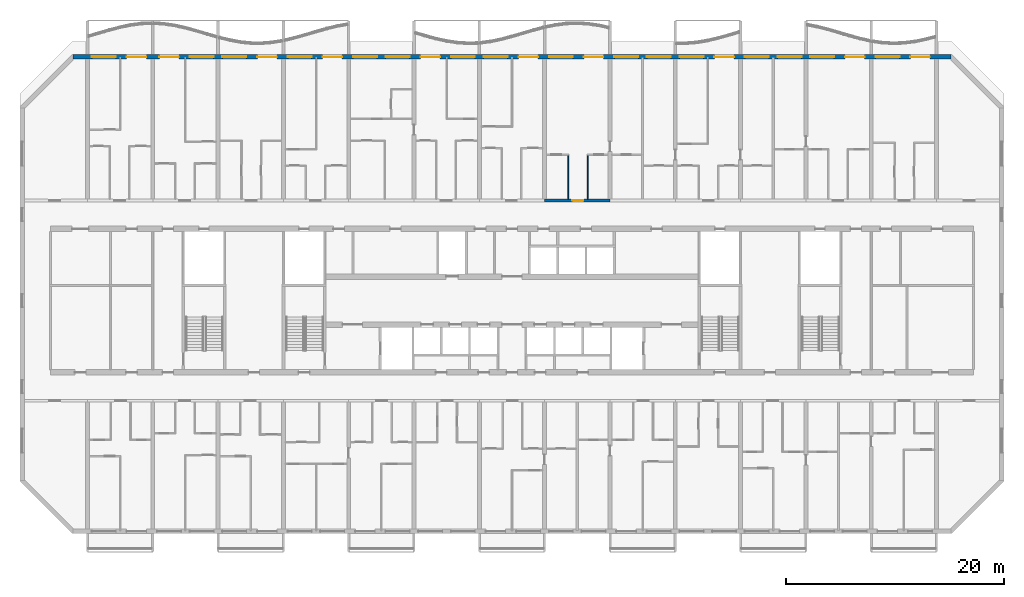
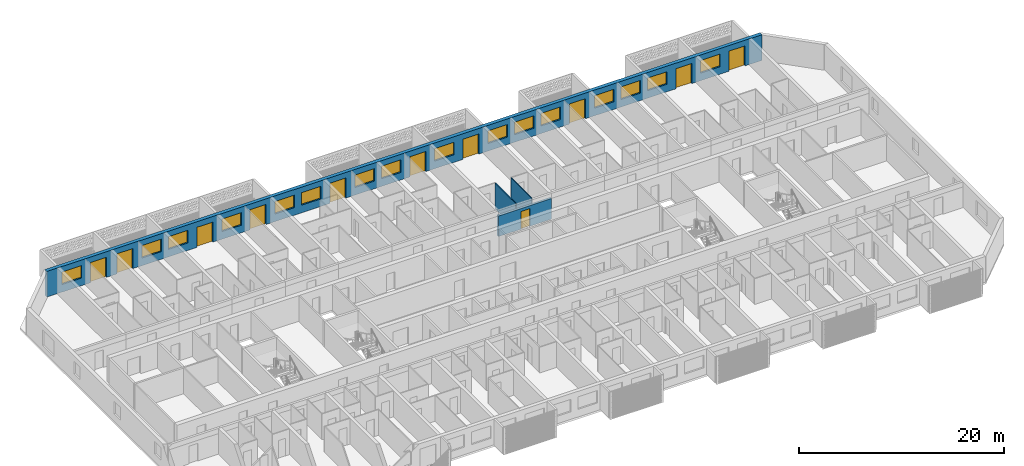
# One storey, part 13 of 28: 16 windows, 11 doors, 4 walls, 27 openings.
"""IFC4 building model written with IfcOpenShell, lengths in metres."""

from ifc_helpers import new_model, si_unit, direction, frame, frame_2d, origin, place, context, subcontext, project, spatial, rectangle, extrude, material, layer, layer_set, type_object, element, fill, save


model = new_model("IFC4")

# Units and contexts
model_context = context("Model", 3, precision=1e-05, world=origin(), true_north=direction((0.0, 1.0)))
body_context = subcontext(model_context, "Body", "Model", "MODEL_VIEW")
ifc_project = project(units=[si_unit("LENGTHUNIT", "METRE"), si_unit("AREAUNIT", "SQUARE_METRE"), si_unit("VOLUMEUNIT", "CUBIC_METRE"), si_unit("PLANEANGLEUNIT", "RADIAN"), si_unit("MASSUNIT", "GRAM", prefix="KILO")], contexts=[model_context])

# Site, building, storey
site_placement = place(None, origin())
site = spatial("IfcSite", under=ifc_project, at=site_placement, CompositionType="ELEMENT")
building_placement = place(site_placement, origin())
building = spatial("IfcBuilding", under=site, at=building_placement, Name="Poui Terraces", CompositionType="ELEMENT")
storey_placement = place(building_placement, frame((0.0, 0.0, 72.89990234375)))
storey = spatial("IfcBuildingStorey", under=building, at=storey_placement, Name="L19", CompositionType="ELEMENT", Elevation=72.89990234375)

# Wall, opening, door
ifc_material_1 = material(Name="Concrete 65 MPa", Category="concrete")
ifc_layer_1 = layer(ifc_material_1, 0.25)
ifc_layer_set_1 = layer_set([ifc_layer_1], Name="Concrete 65 MPa")
wall_type_1 = type_object("IfcWallType", Name="CORRIDOR WALL 250 65MPa", PredefinedType="SHEAR", material=ifc_layer_set_1)
wall_1_placement = place(storey_placement, frame((54.0, 30.39990234375, 0.0), z_axis=(0.0, 0.0, 1.0), x_axis=(1.0, 0.0, 0.0)))
wall_1 = element("IfcWall", 1, at=wall_1_placement, inside=storey, type_object=wall_type_1, Name="CORRIDOR WALL LINE E BAY 9", PredefinedType="SHEAR", context=body_context, shape_type="SweptSolid", body=[
    extrude(rectangle(XDim=6.0, YDim=0.25, at=frame_2d((3.0, 0.0))), origin(), (0.0, 0.0, 1.0), 2.460205078125),
])
opening_1_placement = place(wall_1_placement, frame((2.550048828125, 0.0, 0.0)))
opening_1 = element("IfcOpeningElement", 2, at=opening_1_placement, cuts=wall_1, Name="Opening FD30S", PredefinedType="OPENING", context=body_context, shape_type="SweptSolid", body=[
    extrude(rectangle(XDim=1.0, YDim=2.10009765625, at=frame_2d((0.5, 1.050048828125))), frame((0.0, 0.135009765625, 0.0), z_axis=(0.0, -1.0, 0.0), x_axis=(1.0, 0.0, 0.0)), (0.0, 0.0, 1.0), 0.27001953125),
])
ifc_material_2 = material(Name="Steel fire door", Category="steel")
door_type_1 = type_object("IfcDoorType", Name="FLAT ENTRANCE DOOR 1000 X 2100", OperationType="NOTDEFINED", PredefinedType="DOOR", material=ifc_material_2)
door_1_placement = place(opening_1_placement, origin())
door_1 = element("IfcDoor", 3, at=door_1_placement, inside=storey, type_object=door_type_1, Name="FLAT ENTRANCE DOOR 063", OperationType="SINGLE_SWING_RIGHT", OverallHeight=2.10009765625, OverallWidth=1.0, PredefinedType="DOOR", context=body_context, shape_type="SweptSolid", body=[
    extrude(rectangle(XDim=1.0, YDim=2.10009765625, at=frame_2d((0.5, 1.050048828125))), frame((0.0, 0.02490234375, 0.0), z_axis=(0.0, -1.0, 0.0), x_axis=(1.0, 0.0, 0.0)), (0.0, 0.0, 1.0), 0.050048828125),
])
fill(opening_1, door_1)

# Wall, openings, doors, windows
ifc_material_3 = material(Name="Precast concrete 40 MPa", Category="concrete")
ifc_layer_2 = layer(ifc_material_3, 0.39990234375)
ifc_layer_set_2 = layer_set([ifc_layer_2], Name="Precast concrete 40 MPa")
wall_type_2 = type_object("IfcWallType", Name="EXTERNAL WALL 400", PredefinedType="STANDARD", material=ifc_layer_set_2)
wall_2_placement = place(storey_placement, frame((91.317138671875, 43.60009765625, 0.0), z_axis=(0.0, 0.0, 1.0), x_axis=(-1.0, 0.0, 0.0)))
wall_2 = element("IfcWall", 4, at=wall_2_placement, inside=storey, type_object=wall_type_2, Name="EXTERNAL WALL N", PredefinedType="STANDARD", context=body_context, shape_type="SweptSolid", body=[
    extrude(rectangle(XDim=80.63427734375, YDim=0.39990234375, at=frame_2d((40.317138671875, 0.0))), origin(), (0.0, 0.0, 1.0), 3.06005859375),
])
opening_2_placement = place(wall_2_placement, frame((76.71728515625, 0.0, 0.89990234375)))
opening_2 = element("IfcOpeningElement", 5, at=opening_2_placement, cuts=wall_2, Name="Opening W1", PredefinedType="OPENING", context=body_context, shape_type="SweptSolid", body=[
    extrude(rectangle(XDim=2.199951171875, YDim=1.5, at=frame_2d((1.10009765625, 0.75))), frame((0.0, 0.2099609375, 0.0), z_axis=(0.0, -1.0, 0.0), x_axis=(1.0, 0.0, 0.0)), (0.0, 0.0, 1.0), 0.419921875),
])
opening_3_placement = place(wall_2_placement, frame((73.917236328125, 0.0, 0.0)))
opening_3 = element("IfcOpeningElement", 6, at=opening_3_placement, cuts=wall_2, Name="Opening BD1", PredefinedType="OPENING", context=body_context, shape_type="SweptSolid", body=[
    extrude(rectangle(XDim=1.800048828125, YDim=2.39990234375, at=frame_2d((0.89990234375, 1.199951171875))), frame((0.0, 0.2099609375, 0.0), z_axis=(0.0, -1.0, 0.0), x_axis=(1.0, 0.0, 0.0)), (0.0, 0.0, 1.0), 0.419921875),
])
opening_4_placement = place(wall_2_placement, frame((70.917236328125, 0.0, 0.0)))
opening_4 = element("IfcOpeningElement", 7, at=opening_4_placement, cuts=wall_2, Name="Opening BD1", PredefinedType="OPENING", context=body_context, shape_type="SweptSolid", body=[
    extrude(rectangle(XDim=1.800048828125, YDim=2.39990234375, at=frame_2d((0.89990234375, 1.199951171875))), frame((0.0, 0.2099609375, 0.0), z_axis=(0.0, -1.0, 0.0), x_axis=(1.0, 0.0, 0.0)), (0.0, 0.0, 1.0), 0.419921875),
])
opening_5_placement = place(wall_2_placement, frame((67.71728515625, 0.0, 0.89990234375)))
opening_5 = element("IfcOpeningElement", 8, at=opening_5_placement, cuts=wall_2, Name="Opening W1", PredefinedType="OPENING", context=body_context, shape_type="SweptSolid", body=[
    extrude(rectangle(XDim=2.199951171875, YDim=1.5, at=frame_2d((1.10009765625, 0.75))), frame((0.0, 0.2099609375, 0.0), z_axis=(0.0, -1.0, 0.0), x_axis=(1.0, 0.0, 0.0)), (0.0, 0.0, 1.0), 0.419921875),
])
opening_6_placement = place(wall_2_placement, frame((64.71728515625, 0.0, 0.89990234375)))
opening_6 = element("IfcOpeningElement", 9, at=opening_6_placement, cuts=wall_2, Name="Opening W1", PredefinedType="OPENING", context=body_context, shape_type="SweptSolid", body=[
    extrude(rectangle(XDim=2.199951171875, YDim=1.5, at=frame_2d((1.10009765625, 0.75))), frame((0.0, 0.2099609375, 0.0), z_axis=(0.0, -1.0, 0.0), x_axis=(1.0, 0.0, 0.0)), (0.0, 0.0, 1.0), 0.419921875),
])
opening_7_placement = place(wall_2_placement, frame((61.917236328125, 0.0, 0.0)))
opening_7 = element("IfcOpeningElement", 10, at=opening_7_placement, cuts=wall_2, Name="Opening BD1", PredefinedType="OPENING", context=body_context, shape_type="SweptSolid", body=[
    extrude(rectangle(XDim=1.800048828125, YDim=2.39990234375, at=frame_2d((0.89990234375, 1.199951171875))), frame((0.0, 0.2099609375, 0.0), z_axis=(0.0, -1.0, 0.0), x_axis=(1.0, 0.0, 0.0)), (0.0, 0.0, 1.0), 0.419921875),
])
opening_8_placement = place(wall_2_placement, frame((58.71728515625, 0.0, 0.89990234375)))
opening_8 = element("IfcOpeningElement", 11, at=opening_8_placement, cuts=wall_2, Name="Opening W1", PredefinedType="OPENING", context=body_context, shape_type="SweptSolid", body=[
    extrude(rectangle(XDim=2.199951171875, YDim=1.5, at=frame_2d((1.10009765625, 0.75))), frame((0.0, 0.2099609375, 0.0), z_axis=(0.0, -1.0, 0.0), x_axis=(1.0, 0.0, 0.0)), (0.0, 0.0, 1.0), 0.419921875),
])
opening_9_placement = place(wall_2_placement, frame((55.917236328125, 0.0, 0.0)))
opening_9 = element("IfcOpeningElement", 12, at=opening_9_placement, cuts=wall_2, Name="Opening BD1", PredefinedType="OPENING", context=body_context, shape_type="SweptSolid", body=[
    extrude(rectangle(XDim=1.800048828125, YDim=2.39990234375, at=frame_2d((0.89990234375, 1.199951171875))), frame((0.0, 0.2099609375, 0.0), z_axis=(0.0, -1.0, 0.0), x_axis=(1.0, 0.0, 0.0)), (0.0, 0.0, 1.0), 0.419921875),
])
opening_10_placement = place(wall_2_placement, frame((52.71728515625, 0.0, 0.89990234375)))
opening_10 = element("IfcOpeningElement", 13, at=opening_10_placement, cuts=wall_2, Name="Opening W1", PredefinedType="OPENING", context=body_context, shape_type="SweptSolid", body=[
    extrude(rectangle(XDim=2.199951171875, YDim=1.5, at=frame_2d((1.10009765625, 0.75))), frame((0.0, 0.2099609375, 0.0), z_axis=(0.0, -1.0, 0.0), x_axis=(1.0, 0.0, 0.0)), (0.0, 0.0, 1.0), 0.419921875),
])
opening_11_placement = place(wall_2_placement, frame((49.71728515625, 0.0, 0.89990234375)))
opening_11 = element("IfcOpeningElement", 14, at=opening_11_placement, cuts=wall_2, Name="Opening W1", PredefinedType="OPENING", context=body_context, shape_type="SweptSolid", body=[
    extrude(rectangle(XDim=2.199951171875, YDim=1.5, at=frame_2d((1.10009765625, 0.75))), frame((0.0, 0.2099609375, 0.0), z_axis=(0.0, -1.0, 0.0), x_axis=(1.0, 0.0, 0.0)), (0.0, 0.0, 1.0), 0.419921875),
])
opening_12_placement = place(wall_2_placement, frame((46.917236328125, 0.0, 0.0)))
opening_12 = element("IfcOpeningElement", 15, at=opening_12_placement, cuts=wall_2, Name="Opening BD1", PredefinedType="OPENING", context=body_context, shape_type="SweptSolid", body=[
    extrude(rectangle(XDim=1.800048828125, YDim=2.39990234375, at=frame_2d((0.89990234375, 1.199951171875))), frame((0.0, 0.2099609375, 0.0), z_axis=(0.0, -1.0, 0.0), x_axis=(1.0, 0.0, 0.0)), (0.0, 0.0, 1.0), 0.419921875),
])
opening_13_placement = place(wall_2_placement, frame((43.71728515625, 0.0, 0.89990234375)))
opening_13 = element("IfcOpeningElement", 16, at=opening_13_placement, cuts=wall_2, Name="Opening W1", PredefinedType="OPENING", context=body_context, shape_type="SweptSolid", body=[
    extrude(rectangle(XDim=2.199951171875, YDim=1.5, at=frame_2d((1.10009765625, 0.75))), frame((0.0, 0.2099609375, 0.0), z_axis=(0.0, -1.0, 0.0), x_axis=(1.0, 0.0, 0.0)), (0.0, 0.0, 1.0), 0.419921875),
])
opening_14_placement = place(wall_2_placement, frame((40.71728515625, 0.0, 0.89990234375)))
opening_14 = element("IfcOpeningElement", 17, at=opening_14_placement, cuts=wall_2, Name="Opening W1", PredefinedType="OPENING", context=body_context, shape_type="SweptSolid", body=[
    extrude(rectangle(XDim=2.199951171875, YDim=1.5, at=frame_2d((1.10009765625, 0.75))), frame((0.0, 0.2099609375, 0.0), z_axis=(0.0, -1.0, 0.0), x_axis=(1.0, 0.0, 0.0)), (0.0, 0.0, 1.0), 0.419921875),
])
opening_15_placement = place(wall_2_placement, frame((37.917236328125, 0.0, 0.0)))
opening_15 = element("IfcOpeningElement", 18, at=opening_15_placement, cuts=wall_2, Name="Opening BD1", PredefinedType="OPENING", context=body_context, shape_type="SweptSolid", body=[
    extrude(rectangle(XDim=1.800048828125, YDim=2.39990234375, at=frame_2d((0.89990234375, 1.199951171875))), frame((0.0, 0.2099609375, 0.0), z_axis=(0.0, -1.0, 0.0), x_axis=(1.0, 0.0, 0.0)), (0.0, 0.0, 1.0), 0.419921875),
])
opening_16_placement = place(wall_2_placement, frame((34.71728515625, 0.0, 0.89990234375)))
opening_16 = element("IfcOpeningElement", 19, at=opening_16_placement, cuts=wall_2, Name="Opening W1", PredefinedType="OPENING", context=body_context, shape_type="SweptSolid", body=[
    extrude(rectangle(XDim=2.199951171875, YDim=1.5, at=frame_2d((1.10009765625, 0.75))), frame((0.0, 0.2099609375, 0.0), z_axis=(0.0, -1.0, 0.0), x_axis=(1.0, 0.0, 0.0)), (0.0, 0.0, 1.0), 0.419921875),
])
opening_17_placement = place(wall_2_placement, frame((31.917236328125, 0.0, 0.0)))
opening_17 = element("IfcOpeningElement", 20, at=opening_17_placement, cuts=wall_2, Name="Opening BD1", PredefinedType="OPENING", context=body_context, shape_type="SweptSolid", body=[
    extrude(rectangle(XDim=1.800048828125, YDim=2.39990234375, at=frame_2d((0.89990234375, 1.199951171875))), frame((0.0, 0.2099609375, 0.0), z_axis=(0.0, -1.0, 0.0), x_axis=(1.0, 0.0, 0.0)), (0.0, 0.0, 1.0), 0.419921875),
])
opening_18_placement = place(wall_2_placement, frame((28.71728515625, 0.0, 0.89990234375)))
opening_18 = element("IfcOpeningElement", 21, at=opening_18_placement, cuts=wall_2, Name="Opening W1", PredefinedType="OPENING", context=body_context, shape_type="SweptSolid", body=[
    extrude(rectangle(XDim=2.199951171875, YDim=1.5, at=frame_2d((1.10009765625, 0.75))), frame((0.0, 0.2099609375, 0.0), z_axis=(0.0, -1.0, 0.0), x_axis=(1.0, 0.0, 0.0)), (0.0, 0.0, 1.0), 0.419921875),
])
opening_19_placement = place(wall_2_placement, frame((25.71728515625, 0.0, 0.89990234375)))
opening_19 = element("IfcOpeningElement", 22, at=opening_19_placement, cuts=wall_2, Name="Opening W1", PredefinedType="OPENING", context=body_context, shape_type="SweptSolid", body=[
    extrude(rectangle(XDim=2.199951171875, YDim=1.5, at=frame_2d((1.10009765625, 0.75))), frame((0.0, 0.2099609375, 0.0), z_axis=(0.0, -1.0, 0.0), x_axis=(1.0, 0.0, 0.0)), (0.0, 0.0, 1.0), 0.419921875),
])
opening_20_placement = place(wall_2_placement, frame((22.71728515625, 0.0, 0.89990234375)))
opening_20 = element("IfcOpeningElement", 23, at=opening_20_placement, cuts=wall_2, Name="Opening W1", PredefinedType="OPENING", context=body_context, shape_type="SweptSolid", body=[
    extrude(rectangle(XDim=2.199951171875, YDim=1.5, at=frame_2d((1.10009765625, 0.75))), frame((0.0, 0.2099609375, 0.0), z_axis=(0.0, -1.0, 0.0), x_axis=(1.0, 0.0, 0.0)), (0.0, 0.0, 1.0), 0.419921875),
])
opening_21_placement = place(wall_2_placement, frame((19.917236328125, 0.0, 0.0)))
opening_21 = element("IfcOpeningElement", 24, at=opening_21_placement, cuts=wall_2, Name="Opening BD1", PredefinedType="OPENING", context=body_context, shape_type="SweptSolid", body=[
    extrude(rectangle(XDim=1.800048828125, YDim=2.39990234375, at=frame_2d((0.89990234375, 1.199951171875))), frame((0.0, 0.2099609375, 0.0), z_axis=(0.0, -1.0, 0.0), x_axis=(1.0, 0.0, 0.0)), (0.0, 0.0, 1.0), 0.419921875),
])
opening_22_placement = place(wall_2_placement, frame((16.71728515625, 0.0, 0.89990234375)))
opening_22 = element("IfcOpeningElement", 25, at=opening_22_placement, cuts=wall_2, Name="Opening W1", PredefinedType="OPENING", context=body_context, shape_type="SweptSolid", body=[
    extrude(rectangle(XDim=2.199951171875, YDim=1.5, at=frame_2d((1.10009765625, 0.75))), frame((0.0, 0.2099609375, 0.0), z_axis=(0.0, -1.0, 0.0), x_axis=(1.0, 0.0, 0.0)), (0.0, 0.0, 1.0), 0.419921875),
])
opening_23_placement = place(wall_2_placement, frame((13.71728515625, 0.0, 0.89990234375)))
opening_23 = element("IfcOpeningElement", 26, at=opening_23_placement, cuts=wall_2, Name="Opening W1", PredefinedType="OPENING", context=body_context, shape_type="SweptSolid", body=[
    extrude(rectangle(XDim=2.199951171875, YDim=1.5, at=frame_2d((1.10009765625, 0.75))), frame((0.0, 0.2099609375, 0.0), z_axis=(0.0, -1.0, 0.0), x_axis=(1.0, 0.0, 0.0)), (0.0, 0.0, 1.0), 0.419921875),
])
opening_24_placement = place(wall_2_placement, frame((10.71728515625, 0.0, 0.89990234375)))
opening_24 = element("IfcOpeningElement", 27, at=opening_24_placement, cuts=wall_2, Name="Opening W1", PredefinedType="OPENING", context=body_context, shape_type="SweptSolid", body=[
    extrude(rectangle(XDim=2.199951171875, YDim=1.5, at=frame_2d((1.10009765625, 0.75))), frame((0.0, 0.2099609375, 0.0), z_axis=(0.0, -1.0, 0.0), x_axis=(1.0, 0.0, 0.0)), (0.0, 0.0, 1.0), 0.419921875),
])
opening_25_placement = place(wall_2_placement, frame((7.917236328125, 0.0, 0.0)))
opening_25 = element("IfcOpeningElement", 28, at=opening_25_placement, cuts=wall_2, Name="Opening BD1", PredefinedType="OPENING", context=body_context, shape_type="SweptSolid", body=[
    extrude(rectangle(XDim=1.800048828125, YDim=2.39990234375, at=frame_2d((0.89990234375, 1.199951171875))), frame((0.0, 0.2099609375, 0.0), z_axis=(0.0, -1.0, 0.0), x_axis=(1.0, 0.0, 0.0)), (0.0, 0.0, 1.0), 0.419921875),
])
opening_26_placement = place(wall_2_placement, frame((4.71728515625, 0.0, 0.89990234375)))
opening_26 = element("IfcOpeningElement", 29, at=opening_26_placement, cuts=wall_2, Name="Opening W1", PredefinedType="OPENING", context=body_context, shape_type="SweptSolid", body=[
    extrude(rectangle(XDim=2.199951171875, YDim=1.5, at=frame_2d((1.10009765625, 0.75))), frame((0.0, 0.2099609375, 0.0), z_axis=(0.0, -1.0, 0.0), x_axis=(1.0, 0.0, 0.0)), (0.0, 0.0, 1.0), 0.419921875),
])
opening_27_placement = place(wall_2_placement, frame((1.917236328125, 0.0, 0.0)))
opening_27 = element("IfcOpeningElement", 30, at=opening_27_placement, cuts=wall_2, Name="Opening BD1", PredefinedType="OPENING", context=body_context, shape_type="SweptSolid", body=[
    extrude(rectangle(XDim=1.800048828125, YDim=2.39990234375, at=frame_2d((0.89990234375, 1.199951171875))), frame((0.0, 0.2099609375, 0.0), z_axis=(0.0, -1.0, 0.0), x_axis=(1.0, 0.0, 0.0)), (0.0, 0.0, 1.0), 0.419921875),
])
ifc_material_4 = material(Name="Clear glass in aluminium frame", Category="aluminium")
door_type_2 = type_object("IfcDoorType", Name="BALCONY DOOR 1800X2400", OperationType="DOUBLE_DOOR_SLIDING", PredefinedType="DOOR", material=ifc_material_4)
door_2_placement = place(opening_3_placement, origin())
door_2 = element("IfcDoor", 31, at=door_2_placement, inside=storey, type_object=door_type_2, Name="BD1 BALCONY DOOR", OperationType="DOUBLE_DOOR_SLIDING", OverallHeight=2.39990234375, OverallWidth=1.800048828125, PredefinedType="DOOR", context=body_context, shape_type="SweptSolid", body=[
    extrude(rectangle(XDim=1.800048828125, YDim=2.39990234375, at=frame_2d((0.89990234375, 1.199951171875))), frame((0.0, 0.02490234375, 0.0), z_axis=(0.0, -1.0, 0.0), x_axis=(1.0, 0.0, 0.0)), (0.0, 0.0, 1.0), 0.050048828125),
])
fill(opening_3, door_2)
door_3_placement = place(opening_4_placement, origin())
door_3 = element("IfcDoor", 32, at=door_3_placement, inside=storey, type_object=door_type_2, Name="BD1 BALCONY DOOR", OperationType="DOUBLE_DOOR_SLIDING", OverallHeight=2.39990234375, OverallWidth=1.800048828125, PredefinedType="DOOR", context=body_context, shape_type="SweptSolid", body=[
    extrude(rectangle(XDim=1.800048828125, YDim=2.39990234375, at=frame_2d((0.89990234375, 1.199951171875))), frame((0.0, 0.02490234375, 0.0), z_axis=(0.0, -1.0, 0.0), x_axis=(1.0, 0.0, 0.0)), (0.0, 0.0, 1.0), 0.050048828125),
])
fill(opening_4, door_3)
door_4_placement = place(opening_7_placement, origin())
door_4 = element("IfcDoor", 33, at=door_4_placement, inside=storey, type_object=door_type_2, Name="BD1 BALCONY DOOR", OperationType="DOUBLE_DOOR_SLIDING", OverallHeight=2.39990234375, OverallWidth=1.800048828125, PredefinedType="DOOR", context=body_context, shape_type="SweptSolid", body=[
    extrude(rectangle(XDim=1.800048828125, YDim=2.39990234375, at=frame_2d((0.89990234375, 1.199951171875))), frame((0.0, 0.02490234375, 0.0), z_axis=(0.0, -1.0, 0.0), x_axis=(1.0, 0.0, 0.0)), (0.0, 0.0, 1.0), 0.050048828125),
])
fill(opening_7, door_4)
door_5_placement = place(opening_9_placement, origin())
door_5 = element("IfcDoor", 34, at=door_5_placement, inside=storey, type_object=door_type_2, Name="BD1 BALCONY DOOR", OperationType="DOUBLE_DOOR_SLIDING", OverallHeight=2.39990234375, OverallWidth=1.800048828125, PredefinedType="DOOR", context=body_context, shape_type="SweptSolid", body=[
    extrude(rectangle(XDim=1.800048828125, YDim=2.39990234375, at=frame_2d((0.89990234375, 1.199951171875))), frame((0.0, 0.02490234375, 0.0), z_axis=(0.0, -1.0, 0.0), x_axis=(1.0, 0.0, 0.0)), (0.0, 0.0, 1.0), 0.050048828125),
])
fill(opening_9, door_5)
door_6_placement = place(opening_12_placement, origin())
door_6 = element("IfcDoor", 35, at=door_6_placement, inside=storey, type_object=door_type_2, Name="BD1 BALCONY DOOR", OperationType="DOUBLE_DOOR_SLIDING", OverallHeight=2.39990234375, OverallWidth=1.800048828125, PredefinedType="DOOR", context=body_context, shape_type="SweptSolid", body=[
    extrude(rectangle(XDim=1.800048828125, YDim=2.39990234375, at=frame_2d((0.89990234375, 1.199951171875))), frame((0.0, 0.02490234375, 0.0), z_axis=(0.0, -1.0, 0.0), x_axis=(1.0, 0.0, 0.0)), (0.0, 0.0, 1.0), 0.050048828125),
])
fill(opening_12, door_6)
door_7_placement = place(opening_15_placement, origin())
door_7 = element("IfcDoor", 36, at=door_7_placement, inside=storey, type_object=door_type_2, Name="BD1 BALCONY DOOR", OperationType="DOUBLE_DOOR_SLIDING", OverallHeight=2.39990234375, OverallWidth=1.800048828125, PredefinedType="DOOR", context=body_context, shape_type="SweptSolid", body=[
    extrude(rectangle(XDim=1.800048828125, YDim=2.39990234375, at=frame_2d((0.89990234375, 1.199951171875))), frame((0.0, 0.02490234375, 0.0), z_axis=(0.0, -1.0, 0.0), x_axis=(1.0, 0.0, 0.0)), (0.0, 0.0, 1.0), 0.050048828125),
])
fill(opening_15, door_7)
door_8_placement = place(opening_17_placement, origin())
door_8 = element("IfcDoor", 37, at=door_8_placement, inside=storey, type_object=door_type_2, Name="BD1 BALCONY DOOR", OperationType="DOUBLE_DOOR_SLIDING", OverallHeight=2.39990234375, OverallWidth=1.800048828125, PredefinedType="DOOR", context=body_context, shape_type="SweptSolid", body=[
    extrude(rectangle(XDim=1.800048828125, YDim=2.39990234375, at=frame_2d((0.89990234375, 1.199951171875))), frame((0.0, 0.02490234375, 0.0), z_axis=(0.0, -1.0, 0.0), x_axis=(1.0, 0.0, 0.0)), (0.0, 0.0, 1.0), 0.050048828125),
])
fill(opening_17, door_8)
door_9_placement = place(opening_21_placement, origin())
door_9 = element("IfcDoor", 38, at=door_9_placement, inside=storey, type_object=door_type_2, Name="BD1 BALCONY DOOR", OperationType="DOUBLE_DOOR_SLIDING", OverallHeight=2.39990234375, OverallWidth=1.800048828125, PredefinedType="DOOR", context=body_context, shape_type="SweptSolid", body=[
    extrude(rectangle(XDim=1.800048828125, YDim=2.39990234375, at=frame_2d((0.89990234375, 1.199951171875))), frame((0.0, 0.02490234375, 0.0), z_axis=(0.0, -1.0, 0.0), x_axis=(1.0, 0.0, 0.0)), (0.0, 0.0, 1.0), 0.050048828125),
])
fill(opening_21, door_9)
door_10_placement = place(opening_25_placement, origin())
door_10 = element("IfcDoor", 39, at=door_10_placement, inside=storey, type_object=door_type_2, Name="BD1 BALCONY DOOR", OperationType="DOUBLE_DOOR_SLIDING", OverallHeight=2.39990234375, OverallWidth=1.800048828125, PredefinedType="DOOR", context=body_context, shape_type="SweptSolid", body=[
    extrude(rectangle(XDim=1.800048828125, YDim=2.39990234375, at=frame_2d((0.89990234375, 1.199951171875))), frame((0.0, 0.02490234375, 0.0), z_axis=(0.0, -1.0, 0.0), x_axis=(1.0, 0.0, 0.0)), (0.0, 0.0, 1.0), 0.050048828125),
])
fill(opening_25, door_10)
door_11_placement = place(opening_27_placement, origin())
door_11 = element("IfcDoor", 40, at=door_11_placement, inside=storey, type_object=door_type_2, Name="BD1 BALCONY DOOR", OperationType="DOUBLE_DOOR_SLIDING", OverallHeight=2.39990234375, OverallWidth=1.800048828125, PredefinedType="DOOR", context=body_context, shape_type="SweptSolid", body=[
    extrude(rectangle(XDim=1.800048828125, YDim=2.39990234375, at=frame_2d((0.89990234375, 1.199951171875))), frame((0.0, 0.02490234375, 0.0), z_axis=(0.0, -1.0, 0.0), x_axis=(1.0, 0.0, 0.0)), (0.0, 0.0, 1.0), 0.050048828125),
])
fill(opening_27, door_11)
window_type = type_object("IfcWindowType", Name="WINDOW 2200X1500", PartitioningType="DOUBLE_PANEL_HORIZONTAL", PredefinedType="WINDOW", material=ifc_material_4)
window_1_placement = place(opening_2_placement, origin())
window_1 = element("IfcWindow", 41, at=window_1_placement, inside=storey, type_object=window_type, Name="W1 WINDOW", OverallHeight=1.5, OverallWidth=2.199951171875, PartitioningType="DOUBLE_PANEL_HORIZONTAL", PredefinedType="WINDOW", context=body_context, shape_type="SweptSolid", body=[
    extrude(rectangle(XDim=2.199951171875, YDim=1.5, at=frame_2d((1.10009765625, 0.75))), frame((0.0, 0.030029296875, 0.0), z_axis=(0.0, -1.0, 0.0), x_axis=(1.0, 0.0, 0.0)), (0.0, 0.0, 1.0), 0.06005859375),
])
fill(opening_2, window_1)
window_2_placement = place(opening_5_placement, origin())
window_2 = element("IfcWindow", 42, at=window_2_placement, inside=storey, type_object=window_type, Name="W1 WINDOW", OverallHeight=1.5, OverallWidth=2.199951171875, PartitioningType="DOUBLE_PANEL_HORIZONTAL", PredefinedType="WINDOW", context=body_context, shape_type="SweptSolid", body=[
    extrude(rectangle(XDim=2.199951171875, YDim=1.5, at=frame_2d((1.10009765625, 0.75))), frame((0.0, 0.030029296875, 0.0), z_axis=(0.0, -1.0, 0.0), x_axis=(1.0, 0.0, 0.0)), (0.0, 0.0, 1.0), 0.06005859375),
])
fill(opening_5, window_2)
window_3_placement = place(opening_6_placement, origin())
window_3 = element("IfcWindow", 43, at=window_3_placement, inside=storey, type_object=window_type, Name="W1 WINDOW", OverallHeight=1.5, OverallWidth=2.199951171875, PartitioningType="DOUBLE_PANEL_HORIZONTAL", PredefinedType="WINDOW", context=body_context, shape_type="SweptSolid", body=[
    extrude(rectangle(XDim=2.199951171875, YDim=1.5, at=frame_2d((1.10009765625, 0.75))), frame((0.0, 0.030029296875, 0.0), z_axis=(0.0, -1.0, 0.0), x_axis=(1.0, 0.0, 0.0)), (0.0, 0.0, 1.0), 0.06005859375),
])
fill(opening_6, window_3)
window_4_placement = place(opening_8_placement, origin())
window_4 = element("IfcWindow", 44, at=window_4_placement, inside=storey, type_object=window_type, Name="W1 WINDOW", OverallHeight=1.5, OverallWidth=2.199951171875, PartitioningType="DOUBLE_PANEL_HORIZONTAL", PredefinedType="WINDOW", context=body_context, shape_type="SweptSolid", body=[
    extrude(rectangle(XDim=2.199951171875, YDim=1.5, at=frame_2d((1.10009765625, 0.75))), frame((0.0, 0.030029296875, 0.0), z_axis=(0.0, -1.0, 0.0), x_axis=(1.0, 0.0, 0.0)), (0.0, 0.0, 1.0), 0.06005859375),
])
fill(opening_8, window_4)
window_5_placement = place(opening_10_placement, origin())
window_5 = element("IfcWindow", 45, at=window_5_placement, inside=storey, type_object=window_type, Name="W1 WINDOW", OverallHeight=1.5, OverallWidth=2.199951171875, PartitioningType="DOUBLE_PANEL_HORIZONTAL", PredefinedType="WINDOW", context=body_context, shape_type="SweptSolid", body=[
    extrude(rectangle(XDim=2.199951171875, YDim=1.5, at=frame_2d((1.10009765625, 0.75))), frame((0.0, 0.030029296875, 0.0), z_axis=(0.0, -1.0, 0.0), x_axis=(1.0, 0.0, 0.0)), (0.0, 0.0, 1.0), 0.06005859375),
])
fill(opening_10, window_5)
window_6_placement = place(opening_11_placement, origin())
window_6 = element("IfcWindow", 46, at=window_6_placement, inside=storey, type_object=window_type, Name="W1 WINDOW", OverallHeight=1.5, OverallWidth=2.199951171875, PartitioningType="DOUBLE_PANEL_HORIZONTAL", PredefinedType="WINDOW", context=body_context, shape_type="SweptSolid", body=[
    extrude(rectangle(XDim=2.199951171875, YDim=1.5, at=frame_2d((1.10009765625, 0.75))), frame((0.0, 0.030029296875, 0.0), z_axis=(0.0, -1.0, 0.0), x_axis=(1.0, 0.0, 0.0)), (0.0, 0.0, 1.0), 0.06005859375),
])
fill(opening_11, window_6)
window_7_placement = place(opening_13_placement, origin())
window_7 = element("IfcWindow", 47, at=window_7_placement, inside=storey, type_object=window_type, Name="W1 WINDOW", OverallHeight=1.5, OverallWidth=2.199951171875, PartitioningType="DOUBLE_PANEL_HORIZONTAL", PredefinedType="WINDOW", context=body_context, shape_type="SweptSolid", body=[
    extrude(rectangle(XDim=2.199951171875, YDim=1.5, at=frame_2d((1.10009765625, 0.75))), frame((0.0, 0.030029296875, 0.0), z_axis=(0.0, -1.0, 0.0), x_axis=(1.0, 0.0, 0.0)), (0.0, 0.0, 1.0), 0.06005859375),
])
fill(opening_13, window_7)
window_8_placement = place(opening_14_placement, origin())
window_8 = element("IfcWindow", 48, at=window_8_placement, inside=storey, type_object=window_type, Name="W1 WINDOW", OverallHeight=1.5, OverallWidth=2.199951171875, PartitioningType="DOUBLE_PANEL_HORIZONTAL", PredefinedType="WINDOW", context=body_context, shape_type="SweptSolid", body=[
    extrude(rectangle(XDim=2.199951171875, YDim=1.5, at=frame_2d((1.10009765625, 0.75))), frame((0.0, 0.030029296875, 0.0), z_axis=(0.0, -1.0, 0.0), x_axis=(1.0, 0.0, 0.0)), (0.0, 0.0, 1.0), 0.06005859375),
])
fill(opening_14, window_8)
window_9_placement = place(opening_16_placement, origin())
window_9 = element("IfcWindow", 49, at=window_9_placement, inside=storey, type_object=window_type, Name="W1 WINDOW", OverallHeight=1.5, OverallWidth=2.199951171875, PartitioningType="DOUBLE_PANEL_HORIZONTAL", PredefinedType="WINDOW", context=body_context, shape_type="SweptSolid", body=[
    extrude(rectangle(XDim=2.199951171875, YDim=1.5, at=frame_2d((1.10009765625, 0.75))), frame((0.0, 0.030029296875, 0.0), z_axis=(0.0, -1.0, 0.0), x_axis=(1.0, 0.0, 0.0)), (0.0, 0.0, 1.0), 0.06005859375),
])
fill(opening_16, window_9)
window_10_placement = place(opening_18_placement, origin())
window_10 = element("IfcWindow", 50, at=window_10_placement, inside=storey, type_object=window_type, Name="W1 WINDOW", OverallHeight=1.5, OverallWidth=2.199951171875, PartitioningType="DOUBLE_PANEL_HORIZONTAL", PredefinedType="WINDOW", context=body_context, shape_type="SweptSolid", body=[
    extrude(rectangle(XDim=2.199951171875, YDim=1.5, at=frame_2d((1.10009765625, 0.75))), frame((0.0, 0.030029296875, 0.0), z_axis=(0.0, -1.0, 0.0), x_axis=(1.0, 0.0, 0.0)), (0.0, 0.0, 1.0), 0.06005859375),
])
fill(opening_18, window_10)
window_11_placement = place(opening_19_placement, origin())
window_11 = element("IfcWindow", 51, at=window_11_placement, inside=storey, type_object=window_type, Name="W1 WINDOW", OverallHeight=1.5, OverallWidth=2.199951171875, PartitioningType="DOUBLE_PANEL_HORIZONTAL", PredefinedType="WINDOW", context=body_context, shape_type="SweptSolid", body=[
    extrude(rectangle(XDim=2.199951171875, YDim=1.5, at=frame_2d((1.10009765625, 0.75))), frame((0.0, 0.030029296875, 0.0), z_axis=(0.0, -1.0, 0.0), x_axis=(1.0, 0.0, 0.0)), (0.0, 0.0, 1.0), 0.06005859375),
])
fill(opening_19, window_11)
window_12_placement = place(opening_20_placement, origin())
window_12 = element("IfcWindow", 52, at=window_12_placement, inside=storey, type_object=window_type, Name="W1 WINDOW", OverallHeight=1.5, OverallWidth=2.199951171875, PartitioningType="DOUBLE_PANEL_HORIZONTAL", PredefinedType="WINDOW", context=body_context, shape_type="SweptSolid", body=[
    extrude(rectangle(XDim=2.199951171875, YDim=1.5, at=frame_2d((1.10009765625, 0.75))), frame((0.0, 0.030029296875, 0.0), z_axis=(0.0, -1.0, 0.0), x_axis=(1.0, 0.0, 0.0)), (0.0, 0.0, 1.0), 0.06005859375),
])
fill(opening_20, window_12)
window_13_placement = place(opening_22_placement, origin())
window_13 = element("IfcWindow", 53, at=window_13_placement, inside=storey, type_object=window_type, Name="W1 WINDOW", OverallHeight=1.5, OverallWidth=2.199951171875, PartitioningType="DOUBLE_PANEL_HORIZONTAL", PredefinedType="WINDOW", context=body_context, shape_type="SweptSolid", body=[
    extrude(rectangle(XDim=2.199951171875, YDim=1.5, at=frame_2d((1.10009765625, 0.75))), frame((0.0, 0.030029296875, 0.0), z_axis=(0.0, -1.0, 0.0), x_axis=(1.0, 0.0, 0.0)), (0.0, 0.0, 1.0), 0.06005859375),
])
fill(opening_22, window_13)
window_14_placement = place(opening_23_placement, origin())
window_14 = element("IfcWindow", 54, at=window_14_placement, inside=storey, type_object=window_type, Name="W1 WINDOW", OverallHeight=1.5, OverallWidth=2.199951171875, PartitioningType="DOUBLE_PANEL_HORIZONTAL", PredefinedType="WINDOW", context=body_context, shape_type="SweptSolid", body=[
    extrude(rectangle(XDim=2.199951171875, YDim=1.5, at=frame_2d((1.10009765625, 0.75))), frame((0.0, 0.030029296875, 0.0), z_axis=(0.0, -1.0, 0.0), x_axis=(1.0, 0.0, 0.0)), (0.0, 0.0, 1.0), 0.06005859375),
])
fill(opening_23, window_14)
window_15_placement = place(opening_24_placement, origin())
window_15 = element("IfcWindow", 55, at=window_15_placement, inside=storey, type_object=window_type, Name="W1 WINDOW", OverallHeight=1.5, OverallWidth=2.199951171875, PartitioningType="DOUBLE_PANEL_HORIZONTAL", PredefinedType="WINDOW", context=body_context, shape_type="SweptSolid", body=[
    extrude(rectangle(XDim=2.199951171875, YDim=1.5, at=frame_2d((1.10009765625, 0.75))), frame((0.0, 0.030029296875, 0.0), z_axis=(0.0, -1.0, 0.0), x_axis=(1.0, 0.0, 0.0)), (0.0, 0.0, 1.0), 0.06005859375),
])
fill(opening_24, window_15)
window_16_placement = place(opening_26_placement, origin())
window_16 = element("IfcWindow", 56, at=window_16_placement, inside=storey, type_object=window_type, Name="W1 WINDOW", OverallHeight=1.5, OverallWidth=2.199951171875, PartitioningType="DOUBLE_PANEL_HORIZONTAL", PredefinedType="WINDOW", context=body_context, shape_type="SweptSolid", body=[
    extrude(rectangle(XDim=2.199951171875, YDim=1.5, at=frame_2d((1.10009765625, 0.75))), frame((0.0, 0.030029296875, 0.0), z_axis=(0.0, -1.0, 0.0), x_axis=(1.0, 0.0, 0.0)), (0.0, 0.0, 1.0), 0.06005859375),
])
fill(opening_26, window_16)

# Walls
ifc_material_5 = material(Name="Plasterboard partition")
ifc_layer_3 = layer(ifc_material_5, 0.10009765625)
ifc_layer_set_3 = layer_set([ifc_layer_3], Name="Plasterboard partition")
wall_type_3 = type_object("IfcWallType", Name="FLAT PARTITION 100", PredefinedType="PARTITIONING", material=ifc_layer_set_3)
for number, where, z_axis, x_axis, name in (
    (57, (56.14990234375, 30.534912109375, 0.0), (0.0, 0.0, 1.0), (0.0, 1.0, 0.0), "FLAT PARTITION 100"),
    (58, (57.949951171875, 30.534912109375, 0.0), (0.0, 0.0, 1.0), (0.0, 1.0, 0.0), "FLAT PARTITION 100"),
):
    element("IfcWall", number, at=place(storey_placement, frame(where, z_axis=z_axis, x_axis=x_axis)), inside=storey, type_object=wall_type_3, Name=name, PredefinedType="PARTITIONING", context=body_context, shape_type="SweptSolid", body=[
        extrude(rectangle(XDim=4.01513671875, YDim=0.10009765625, at=frame_2d((2.007568359375, 0.0))), origin(), (0.0, 0.0, 1.0), 3.06005859375),
    ])

save(model, "model.ifc")
